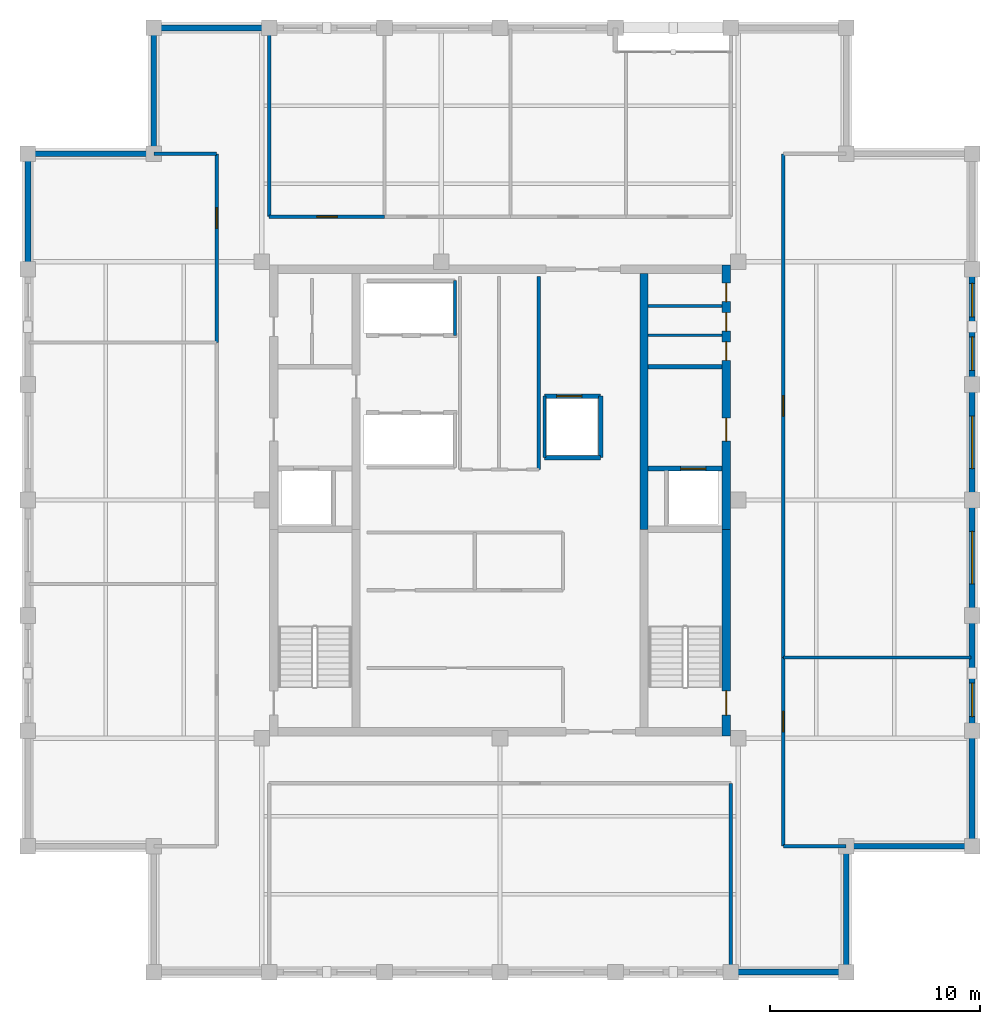
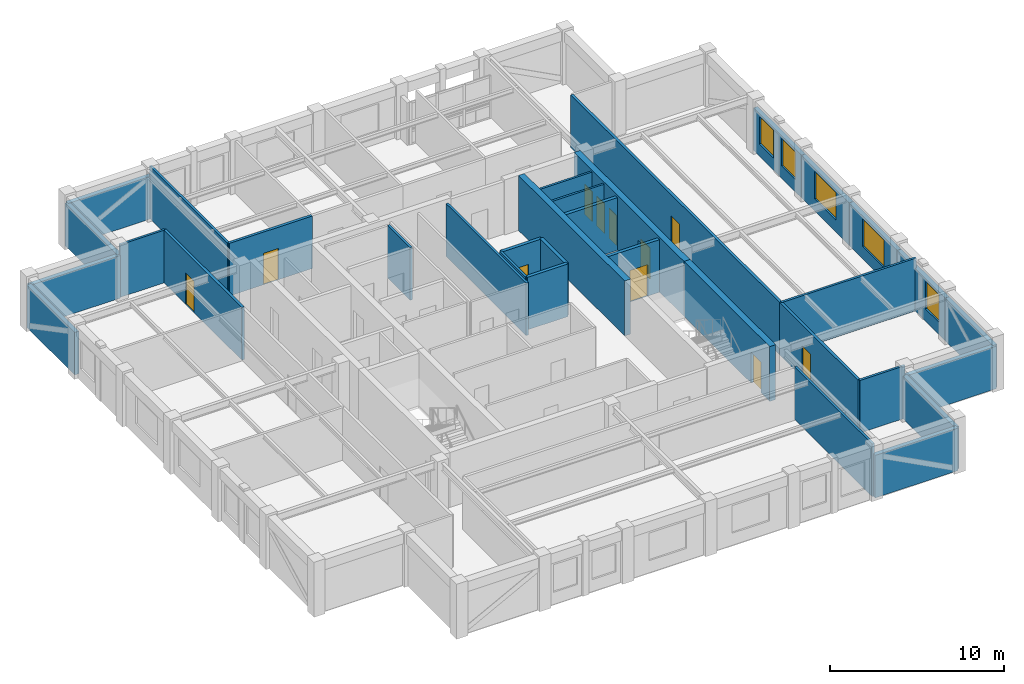
# One storey, part 5 of 7: 34 walls, 11 doors, 5 windows, 16 openings.
"""IFC4 building model written with IfcOpenShell, lengths in metres."""

from ifc_helpers import new_model, si_unit, direction, frame, frame_2d, origin, place, context, subcontext, project, spatial, rectangle, extrude, material, layer, layer_set, type_object, element, fill, save


model = new_model("IFC4")

# Units and contexts
model_context = context("Model", 3, precision=1e-05, world=origin(), true_north=direction((0.0, 1.0)))
body_context = subcontext(model_context, "Body", "Model", "MODEL_VIEW")
ifc_project = project(units=[si_unit("LENGTHUNIT", "METRE"), si_unit("AREAUNIT", "SQUARE_METRE"), si_unit("VOLUMEUNIT", "CUBIC_METRE"), si_unit("PLANEANGLEUNIT", "RADIAN"), si_unit("MASSUNIT", "GRAM", prefix="KILO")], contexts=[model_context])

# Site, building, storey
site_placement = place(None, origin())
site = spatial("IfcSite", under=ifc_project, at=site_placement, CompositionType="ELEMENT")
building_placement = place(site_placement, origin())
building = spatial("IfcBuilding", under=site, at=building_placement, Name="Nhamokura Convention Tower", CompositionType="ELEMENT")
storey_placement = place(building_placement, frame((0.0, 0.0, 281.39990234375)))
storey = spatial("IfcBuildingStorey", under=building, at=storey_placement, Name="L69", CompositionType="ELEMENT", Elevation=281.39990234375)

# Walls
ifc_material_1 = material(Name="Moisture-resistant tile-backer partition", Category="masonry")
ifc_layer_1 = layer(ifc_material_1, 0.139892578125)
ifc_layer_set_1 = layer_set([ifc_layer_1], Name="BathroomWetWall_140")
wall_type_1 = type_object("IfcWallType", Name="BathroomWetWall_140", PredefinedType="STANDARD", material=ifc_layer_set_1)
for number, where, z_axis, x_axis, name in (
    (1, (39.06005859375, 39.85009765625, 0.0), (0.0, 0.0, 1.0), (1.0, 0.0, 0.0), "L69 Wall INT-L69-CWNE1"),
    (2, (39.06005859375, 41.25, 0.0), (0.0, 0.0, 1.0), (1.0, 0.0, 0.0), "L69 Wall INT-L69-CWNE2"),
):
    element("IfcWall", number, at=place(storey_placement, frame(where, z_axis=z_axis, x_axis=x_axis)), inside=storey, type_object=wall_type_1, Name=name, PredefinedType="STANDARD", context=body_context, shape_type="SweptSolid", body=[
        extrude(rectangle(XDim=3.530029296875, YDim=0.139892578125, at=frame_2d((1.76513671875, 0.0))), origin(), (0.0, 0.0, 1.0), 3.68505859375),
    ])
ifc_material_2 = material(Name="Bronze-pigmented precast concrete C45/55", Category="concrete")
ifc_layer_2 = layer(ifc_material_2, 0.280029296875)
ifc_layer_set_2 = layer_set([ifc_layer_2], Name="BronzePrecastSpandrel_280")
wall_type_2 = type_object("IfcWallType", Name="BronzePrecastSpandrel_280", PredefinedType="USERDEFINED", material=ifc_layer_set_2)
for number, where, z_axis, x_axis, name in (
    (3, (48.5, 9.5, 0.0), (0.0, 0.0, 1.0), (-1.0, 0.0, 0.0), "L69 Braced-Bay Precast Wall SOUTH 5"),
    (4, (15.5, 54.5, 0.0), (0.0, 0.0, 1.0), (1.0, 0.0, 0.0), "L69 Braced-Bay Precast Wall NORTH 0"),
    (5, (9.5, 43.0, 0.0), (0.0, 0.0, 1.0), (0.0, 1.0, 0.0), "L69 Braced-Bay Precast Wall WEST 5"),
    (6, (54.5, 21.0, 0.0), (0.0, 0.0, 1.0), (0.0, -1.0, 0.0), "L69 Braced-Bay Precast Wall EAST 0"),
):
    element("IfcWall", number, at=place(storey_placement, frame(where, z_axis=z_axis, x_axis=x_axis)), inside=storey, type_object=wall_type_2, Name=name, ObjectType="SPANDREL_WALL", PredefinedType="USERDEFINED", context=body_context, shape_type="SweptSolid", body=[
        extrude(rectangle(XDim=5.5, YDim=0.280029296875, at=frame_2d((2.75, 0.0))), origin(), (0.0, 0.0, 1.0), 2.985107421875),
    ])

# Wall, opening, window
wall_1_placement = place(storey_placement, frame((54.5, 26.5, 0.0), z_axis=(0.0, 0.0, 1.0), x_axis=(0.0, -1.0, 0.0)))
wall_1 = element("IfcWall", 7, at=wall_1_placement, inside=storey, type_object=wall_type_2, Name="L69 Masonry-Frame Wall EAST 1", ObjectType="SPANDREL_WALL", PredefinedType="USERDEFINED", context=body_context, shape_type="SweptSolid", body=[
    extrude(rectangle(XDim=5.5, YDim=0.280029296875, at=frame_2d((2.75, 0.0))), origin(), (0.0, 0.0, 1.0), 2.985107421875),
])
opening_1_placement = place(wall_1_placement, frame((3.22509765625, 0.0, 0.85009765625)))
opening_1 = element("IfcOpeningElement", 8, at=opening_1_placement, cuts=wall_1, Name="Opening W-11", PredefinedType="OPENING", context=body_context, shape_type="SweptSolid", body=[
    extrude(rectangle(XDim=1.60009765625, YDim=1.93505859375, at=frame_2d((0.800048828125, 0.967529296875))), frame((0.0, 0.14990234375, 0.0), z_axis=(0.0, -1.0, 0.0), x_axis=(1.0, 0.0, 0.0)), (0.0, 0.0, 1.0), 0.300048828125),
])
ifc_material_3 = material(Name="Solar-control bronze low-E double glass", Category="glass")
window_type_1 = type_object("IfcWindowType", Name="NotchCornerWindow_1600", PartitioningType="SINGLE_PANEL", PredefinedType="WINDOW", material=ifc_material_3)
window_1_placement = place(opening_1_placement, origin())
window_1 = element("IfcWindow", 9, at=window_1_placement, inside=storey, type_object=window_type_1, Name="L69 Facade Window EAST 1-2", OverallHeight=1.93505859375, OverallWidth=1.60009765625, PartitioningType="SINGLE_PANEL", PredefinedType="WINDOW", context=body_context, shape_type="SweptSolid", body=[
    extrude(rectangle(XDim=1.60009765625, YDim=1.93505859375, at=frame_2d((0.800048828125, 0.967529296875))), frame((0.0, 0.030029296875, 0.0), z_axis=(0.0, -1.0, 0.0), x_axis=(1.0, 0.0, 0.0)), (0.0, 0.0, 1.0), 0.06005859375),
])
fill(opening_1, window_1)

wall_2_placement = place(storey_placement, frame((54.5, 32.0, 0.0), z_axis=(0.0, 0.0, 1.0), x_axis=(0.0, -1.0, 0.0)))
wall_2 = element("IfcWall", 10, at=wall_2_placement, inside=storey, type_object=wall_type_2, Name="L69 Masonry-Frame Wall EAST 2", ObjectType="SPANDREL_WALL", PredefinedType="USERDEFINED", context=body_context, shape_type="SweptSolid", body=[
    extrude(rectangle(XDim=5.5, YDim=0.280029296875, at=frame_2d((2.75, 0.0))), origin(), (0.0, 0.0, 1.0), 2.985107421875),
])
opening_2_placement = place(wall_2_placement, frame((1.5, 0.0, 0.85009765625)))
opening_2 = element("IfcOpeningElement", 11, at=opening_2_placement, cuts=wall_2, Name="Opening W-09", PredefinedType="OPENING", context=body_context, shape_type="SweptSolid", body=[
    extrude(rectangle(XDim=2.5, YDim=1.93505859375, at=frame_2d((1.25, 0.967529296875))), frame((0.0, 0.14990234375, 0.0), z_axis=(0.0, -1.0, 0.0), x_axis=(1.0, 0.0, 0.0)), (0.0, 0.0, 1.0), 0.300048828125),
])
ifc_material_4 = material(Name="Solar-control bronze low-E double glass", Category="glass")
window_type_2 = type_object("IfcWindowType", Name="SummitWindow_Z4_2500", PartitioningType="DOUBLE_PANEL_VERTICAL", PredefinedType="WINDOW", material=ifc_material_4)
window_2_placement = place(opening_2_placement, origin())
window_2 = element("IfcWindow", 12, at=window_2_placement, inside=storey, type_object=window_type_2, Name="L69 Facade Window EAST 2", OverallHeight=1.93505859375, OverallWidth=2.5, PartitioningType="SINGLE_PANEL", PredefinedType="WINDOW", context=body_context, shape_type="SweptSolid", body=[
    extrude(rectangle(XDim=2.5, YDim=1.93505859375, at=frame_2d((1.25, 0.967529296875))), frame((0.0, 0.030029296875, 0.0), z_axis=(0.0, -1.0, 0.0), x_axis=(1.0, 0.0, 0.0)), (0.0, 0.0, 1.0), 0.06005859375),
])
fill(opening_2, window_2)

wall_3_placement = place(storey_placement, frame((54.5, 37.5, 0.0), z_axis=(0.0, 0.0, 1.0), x_axis=(0.0, -1.0, 0.0)))
wall_3 = element("IfcWall", 13, at=wall_3_placement, inside=storey, type_object=wall_type_2, Name="L69 Masonry-Frame Wall EAST 3", ObjectType="SPANDREL_WALL", PredefinedType="USERDEFINED", context=body_context, shape_type="SweptSolid", body=[
    extrude(rectangle(XDim=5.5, YDim=0.280029296875, at=frame_2d((2.75, 0.0))), origin(), (0.0, 0.0, 1.0), 2.985107421875),
])
opening_3_placement = place(wall_3_placement, frame((1.5, 0.0, 0.85009765625)))
opening_3 = element("IfcOpeningElement", 14, at=opening_3_placement, cuts=wall_3, Name="Opening W-09", PredefinedType="OPENING", context=body_context, shape_type="SweptSolid", body=[
    extrude(rectangle(XDim=2.5, YDim=1.93505859375, at=frame_2d((1.25, 0.967529296875))), frame((0.0, 0.14990234375, 0.0), z_axis=(0.0, -1.0, 0.0), x_axis=(1.0, 0.0, 0.0)), (0.0, 0.0, 1.0), 0.300048828125),
])
window_3_placement = place(opening_3_placement, origin())
window_3 = element("IfcWindow", 15, at=window_3_placement, inside=storey, type_object=window_type_2, Name="L69 Facade Window EAST 3", OverallHeight=1.93505859375, OverallWidth=2.5, PartitioningType="SINGLE_PANEL", PredefinedType="WINDOW", context=body_context, shape_type="SweptSolid", body=[
    extrude(rectangle(XDim=2.5, YDim=1.93505859375, at=frame_2d((1.25, 0.967529296875))), frame((0.0, 0.030029296875, 0.0), z_axis=(0.0, -1.0, 0.0), x_axis=(1.0, 0.0, 0.0)), (0.0, 0.0, 1.0), 0.06005859375),
])
fill(opening_3, window_3)

# Wall, openings, windows
wall_4_placement = place(storey_placement, frame((54.5, 43.0, 0.0), z_axis=(0.0, 0.0, 1.0), x_axis=(0.0, -1.0, 0.0)))
wall_4 = element("IfcWall", 16, at=wall_4_placement, inside=storey, type_object=wall_type_2, Name="L69 Masonry-Frame Wall EAST 4", ObjectType="SPANDREL_WALL", PredefinedType="USERDEFINED", context=body_context, shape_type="SweptSolid", body=[
    extrude(rectangle(XDim=5.5, YDim=0.280029296875, at=frame_2d((2.75, 0.0))), origin(), (0.0, 0.0, 1.0), 2.985107421875),
])
opening_4_placement = place(wall_4_placement, frame((0.675048828125, 0.0, 0.85009765625)))
opening_4 = element("IfcOpeningElement", 17, at=opening_4_placement, cuts=wall_4, Name="Opening W-11", PredefinedType="OPENING", context=body_context, shape_type="SweptSolid", body=[
    extrude(rectangle(XDim=1.60009765625, YDim=1.93505859375, at=frame_2d((0.800048828125, 0.967529296875))), frame((0.0, 0.14990234375, 0.0), z_axis=(0.0, -1.0, 0.0), x_axis=(1.0, 0.0, 0.0)), (0.0, 0.0, 1.0), 0.300048828125),
])
opening_5_placement = place(wall_4_placement, frame((3.22509765625, 0.0, 0.85009765625)))
opening_5 = element("IfcOpeningElement", 18, at=opening_5_placement, cuts=wall_4, Name="Opening W-11", PredefinedType="OPENING", context=body_context, shape_type="SweptSolid", body=[
    extrude(rectangle(XDim=1.60009765625, YDim=1.93505859375, at=frame_2d((0.800048828125, 0.967529296875))), frame((0.0, 0.14990234375, 0.0), z_axis=(0.0, -1.0, 0.0), x_axis=(1.0, 0.0, 0.0)), (0.0, 0.0, 1.0), 0.300048828125),
])
window_4_placement = place(opening_4_placement, origin())
window_4 = element("IfcWindow", 19, at=window_4_placement, inside=storey, type_object=window_type_1, Name="L69 Facade Window EAST 4-1", OverallHeight=1.93505859375, OverallWidth=1.60009765625, PartitioningType="SINGLE_PANEL", PredefinedType="WINDOW", context=body_context, shape_type="SweptSolid", body=[
    extrude(rectangle(XDim=1.60009765625, YDim=1.93505859375, at=frame_2d((0.800048828125, 0.967529296875))), frame((0.0, 0.030029296875, 0.0), z_axis=(0.0, -1.0, 0.0), x_axis=(1.0, 0.0, 0.0)), (0.0, 0.0, 1.0), 0.06005859375),
])
fill(opening_4, window_4)
window_5_placement = place(opening_5_placement, origin())
window_5 = element("IfcWindow", 20, at=window_5_placement, inside=storey, type_object=window_type_1, Name="L69 Facade Window EAST 4-2", OverallHeight=1.93505859375, OverallWidth=1.60009765625, PartitioningType="SINGLE_PANEL", PredefinedType="WINDOW", context=body_context, shape_type="SweptSolid", body=[
    extrude(rectangle(XDim=1.60009765625, YDim=1.93505859375, at=frame_2d((0.800048828125, 0.967529296875))), frame((0.0, 0.030029296875, 0.0), z_axis=(0.0, -1.0, 0.0), x_axis=(1.0, 0.0, 0.0)), (0.0, 0.0, 1.0), 0.06005859375),
])
fill(opening_5, window_5)

# Walls
for number, where, z_axis, x_axis, name in (
    (21, (48.5, 15.5, 0.0), (0.0, 0.0, 1.0), (0.0, -1.0, 0.0), "L69 Notched Corner Wall SE1"),
    (22, (54.5, 15.5, 0.0), (0.0, 0.0, 1.0), (-1.0, 0.0, 0.0), "L69 Notched Corner Wall SE2"),
    (23, (15.5, 48.5, 0.0), (0.0, 0.0, 1.0), (0.0, 1.0, 0.0), "L69 Notched Corner Wall NW1"),
    (24, (9.5, 48.5, 0.0), (0.0, 0.0, 1.0), (1.0, 0.0, 0.0), "L69 Notched Corner Wall NW2"),
):
    element("IfcWall", number, at=place(storey_placement, frame(where, z_axis=z_axis, x_axis=x_axis)), inside=storey, type_object=wall_type_2, Name=name, ObjectType="SPANDREL_WALL", PredefinedType="USERDEFINED", context=body_context, shape_type="SweptSolid", body=[
        extrude(rectangle(XDim=6.0, YDim=0.280029296875, at=frame_2d((3.0, 0.0))), origin(), (0.0, 0.0, 1.0), 2.985107421875),
    ])

# Wall, opening, door
ifc_material_5 = material(Name="Concrete C50/60", Category="concrete")
ifc_layer_3 = layer(ifc_material_5, 0.39990234375)
ifc_layer_set_3 = layer_set([ifc_layer_3], Name="CoreShearWall_400")
wall_type_3 = type_object("IfcWallType", Name="CoreShearWall_400", PredefinedType="SHEAR", material=ifc_layer_set_3)
wall_5_placement = place(storey_placement, frame((42.7900390625, 20.75, 0.0), z_axis=(0.0, 0.0, 1.0), x_axis=(0.0, 1.0, 0.0)))
wall_5 = element("IfcWall", 25, at=wall_5_placement, inside=storey, type_object=wall_type_3, Name="L69 Core Shear Wall CW-ES", PredefinedType="SHEAR", context=body_context, shape_type="SweptSolid", body=[
    extrude(rectangle(XDim=9.85009765625, YDim=0.39990234375, at=frame_2d((4.925048828125, 0.0))), origin(), (0.0, 0.0, 1.0), 3.85009765625),
])
opening_6_placement = place(wall_5_placement, frame((1.0, 0.0, 0.0)))
opening_6 = element("IfcOpeningElement", 26, at=opening_6_placement, cuts=wall_5, Name="Opening D-04", PredefinedType="OPENING", context=body_context, shape_type="SweptSolid", body=[
    extrude(rectangle(XDim=1.14990234375, YDim=2.14990234375, at=frame_2d((0.574951171875, 1.074951171875))), frame((0.0, 0.2099609375, 0.0), z_axis=(0.0, -1.0, 0.0), x_axis=(1.0, 0.0, 0.0)), (0.0, 0.0, 1.0), 0.419921875),
])
ifc_material_6 = material(Name="Fire-rated steel door", Category="steel")
door_type_1 = type_object("IfcDoorType", Name="StairSmokeDoor_1150", OperationType="NOTDEFINED", PredefinedType="DOOR", material=ifc_material_6)
door_1_placement = place(opening_6_placement, origin())
door_1 = element("IfcDoor", 27, at=door_1_placement, inside=storey, type_object=door_type_1, Name="L69 Core Door INT-L69-D-ST02", OperationType="SINGLE_SWING_RIGHT", OverallHeight=2.14990234375, OverallWidth=1.14990234375, PredefinedType="DOOR", context=body_context, shape_type="SweptSolid", body=[
    extrude(rectangle(XDim=1.14990234375, YDim=2.14990234375, at=frame_2d((0.574951171875, 1.074951171875))), frame((0.0, 0.02490234375, 0.0), z_axis=(0.0, -1.0, 0.0), x_axis=(1.0, 0.0, 0.0)), (0.0, 0.0, 1.0), 0.050048828125),
])
fill(opening_6, door_1)

# Wall, openings, doors
wall_6_placement = place(storey_placement, frame((42.7900390625, 30.60009765625, 0.0), z_axis=(0.0, 0.0, 1.0), x_axis=(0.0, 1.0, 0.0)))
wall_6 = element("IfcWall", 28, at=wall_6_placement, inside=storey, type_object=wall_type_3, Name="L69 Core Shear Wall CW-EN", PredefinedType="SHEAR", context=body_context, shape_type="SweptSolid", body=[
    extrude(rectangle(XDim=12.599853515625, YDim=0.39990234375, at=frame_2d((6.2998046875, 0.0))), origin(), (0.0, 0.0, 1.0), 3.85009765625),
])
opening_7_placement = place(wall_6_placement, frame((4.199951171875, 0.0, 0.0)))
opening_7 = element("IfcOpeningElement", 29, at=opening_7_placement, cuts=wall_6, Name="Opening D-05", PredefinedType="OPENING", context=body_context, shape_type="SweptSolid", body=[
    extrude(rectangle(XDim=1.10009765625, YDim=2.14990234375, at=frame_2d((0.550048828125, 1.074951171875))), frame((0.0, 0.2099609375, 0.0), z_axis=(0.0, -1.0, 0.0), x_axis=(1.0, 0.0, 0.0)), (0.0, 0.0, 1.0), 0.419921875),
])
opening_8_placement = place(wall_6_placement, frame((8.050048828125, 0.0, 0.0)))
opening_8 = element("IfcOpeningElement", 30, at=opening_8_placement, cuts=wall_6, Name="Opening D-11", PredefinedType="OPENING", context=body_context, shape_type="SweptSolid", body=[
    extrude(rectangle(XDim=0.8798828125, YDim=2.10009765625, at=frame_2d((0.43994140625, 1.050048828125))), frame((0.0, 0.2099609375, 0.0), z_axis=(0.0, -1.0, 0.0), x_axis=(1.0, 0.0, 0.0)), (0.0, 0.0, 1.0), 0.419921875),
])
opening_9_placement = place(wall_6_placement, frame((9.449951171875, 0.0, 0.0)))
opening_9 = element("IfcOpeningElement", 31, at=opening_9_placement, cuts=wall_6, Name="Opening D-11", PredefinedType="OPENING", context=body_context, shape_type="SweptSolid", body=[
    extrude(rectangle(XDim=0.8798828125, YDim=2.10009765625, at=frame_2d((0.43994140625, 1.050048828125))), frame((0.0, 0.2099609375, 0.0), z_axis=(0.0, -1.0, 0.0), x_axis=(1.0, 0.0, 0.0)), (0.0, 0.0, 1.0), 0.419921875),
])
opening_10_placement = place(wall_6_placement, frame((10.85009765625, 0.0, 0.0)))
opening_10 = element("IfcOpeningElement", 32, at=opening_10_placement, cuts=wall_6, Name="Opening D-11", PredefinedType="OPENING", context=body_context, shape_type="SweptSolid", body=[
    extrude(rectangle(XDim=0.8798828125, YDim=2.10009765625, at=frame_2d((0.43994140625, 1.050048828125))), frame((0.0, 0.2099609375, 0.0), z_axis=(0.0, -1.0, 0.0), x_axis=(1.0, 0.0, 0.0)), (0.0, 0.0, 1.0), 0.419921875),
])
ifc_material_7 = material(Name="Solid oak hardwood", Category="wood")
door_type_2 = type_object("IfcDoorType", Name="BathroomDoor_880", OperationType="NOTDEFINED", PredefinedType="DOOR", material=ifc_material_7)
door_2_placement = place(opening_8_placement, origin())
door_2 = element("IfcDoor", 33, at=door_2_placement, inside=storey, type_object=door_type_2, Name="L69 Core Door INT-L69-D-MWC", OperationType="SINGLE_SWING_LEFT", OverallHeight=2.10009765625, OverallWidth=0.8798828125, PredefinedType="DOOR", context=body_context, shape_type="SweptSolid", body=[
    extrude(rectangle(XDim=0.8798828125, YDim=2.10009765625, at=frame_2d((0.43994140625, 1.050048828125))), frame((0.0, 0.02490234375, 0.0), z_axis=(0.0, -1.0, 0.0), x_axis=(1.0, 0.0, 0.0)), (0.0, 0.0, 1.0), 0.050048828125),
])
fill(opening_8, door_2)
door_3_placement = place(opening_9_placement, origin())
door_3 = element("IfcDoor", 34, at=door_3_placement, inside=storey, type_object=door_type_2, Name="L69 Core Door INT-L69-D-FWC", OperationType="SINGLE_SWING_RIGHT", OverallHeight=2.10009765625, OverallWidth=0.8798828125, PredefinedType="DOOR", context=body_context, shape_type="SweptSolid", body=[
    extrude(rectangle(XDim=0.8798828125, YDim=2.10009765625, at=frame_2d((0.43994140625, 1.050048828125))), frame((0.0, 0.02490234375, 0.0), z_axis=(0.0, -1.0, 0.0), x_axis=(1.0, 0.0, 0.0)), (0.0, 0.0, 1.0), 0.050048828125),
])
fill(opening_9, door_3)
door_4_placement = place(opening_10_placement, origin())
door_4 = element("IfcDoor", 35, at=door_4_placement, inside=storey, type_object=door_type_2, Name="L69 Core Door INT-L69-D-ARC", OperationType="SINGLE_SWING_LEFT", OverallHeight=2.10009765625, OverallWidth=0.8798828125, PredefinedType="DOOR", context=body_context, shape_type="SweptSolid", body=[
    extrude(rectangle(XDim=0.8798828125, YDim=2.10009765625, at=frame_2d((0.43994140625, 1.050048828125))), frame((0.0, 0.02490234375, 0.0), z_axis=(0.0, -1.0, 0.0), x_axis=(1.0, 0.0, 0.0)), (0.0, 0.0, 1.0), 0.050048828125),
])
fill(opening_10, door_4)
ifc_material_8 = material(Name="Fire-rated steel door", Category="steel")
door_type_3 = type_object("IfcDoorType", Name="FireLobbyDoor_1100", OperationType="NOTDEFINED", PredefinedType="DOOR", material=ifc_material_8)
door_5_placement = place(opening_7_placement, origin())
door_5 = element("IfcDoor", 36, at=door_5_placement, inside=storey, type_object=door_type_3, Name="L69 Core Door INT-L69-D-FFLE", OperationType="SINGLE_SWING_LEFT", OverallHeight=2.14990234375, OverallWidth=1.10009765625, PredefinedType="DOOR", context=body_context, shape_type="SweptSolid", body=[
    extrude(rectangle(XDim=1.10009765625, YDim=2.14990234375, at=frame_2d((0.550048828125, 1.074951171875))), frame((0.0, 0.02490234375, 0.0), z_axis=(0.0, -1.0, 0.0), x_axis=(1.0, 0.0, 0.0)), (0.0, 0.0, 1.0), 0.050048828125),
])
fill(opening_7, door_5)

# Wall
wall_7_placement = place(storey_placement, frame((38.860107421875, 30.60009765625, 0.0), z_axis=(0.0, 0.0, 1.0), x_axis=(0.0, 1.0, 0.0)))
element("IfcWall", 37, at=wall_7_placement, inside=storey, type_object=wall_type_3, Name="L69 Core Shear Wall CW-IEN", PredefinedType="SHEAR", context=body_context, shape_type="SweptSolid", body=[
    extrude(rectangle(XDim=12.199951171875, YDim=0.39990234375, at=frame_2d((6.10009765625, 0.0))), origin(), (0.0, 0.0, 1.0), 3.85009765625),
])

# Wall, opening, door
ifc_material_9 = material(Name="Fire-rated gypsum and masonry partition", Category="masonry")
ifc_layer_4 = layer(ifc_material_9, 0.179931640625)
ifc_layer_set_4 = layer_set([ifc_layer_4], Name="CorridorRatedWall_180")
wall_type_4 = type_object("IfcWallType", Name="CorridorRatedWall_180", PredefinedType="STANDARD", material=ifc_layer_set_4)
wall_8_placement = place(storey_placement, frame((21.0, 45.5, 0.0), z_axis=(0.0, 0.0, 1.0), x_axis=(1.0, 0.0, 0.0)))
wall_8 = element("IfcWall", 38, at=wall_8_placement, inside=storey, type_object=wall_type_4, Name="L69 Wall INT-L69-CW-N00", PredefinedType="STANDARD", context=body_context, shape_type="SweptSolid", body=[
    extrude(rectangle(XDim=5.5, YDim=0.179931640625, at=frame_2d((2.75, 0.0))), origin(), (0.0, 0.0, 1.0), 3.68505859375),
])
opening_11_placement = place(wall_8_placement, frame((2.27490234375, 0.0, 0.0)))
opening_11 = element("IfcOpeningElement", 39, at=opening_11_placement, cuts=wall_8, Name="Opening D-08", PredefinedType="OPENING", context=body_context, shape_type="SweptSolid", body=[
    extrude(rectangle(XDim=0.97998046875, YDim=2.199951171875, at=frame_2d((0.489990234375, 1.10009765625))), frame((0.0, 0.099853515625, 0.0), z_axis=(0.0, -1.0, 0.0), x_axis=(1.0, 0.0, 0.0)), (0.0, 0.0, 1.0), 0.199951171875),
])
ifc_material_10 = material(Name="Solid oak hardwood", Category="wood")
door_type_4 = type_object("IfcDoorType", Name="OfficeEntryDoor_980", OperationType="NOTDEFINED", PredefinedType="DOOR", material=ifc_material_10)
door_6_placement = place(opening_11_placement, origin())
door_6 = element("IfcDoor", 40, at=door_6_placement, inside=storey, type_object=door_type_4, Name="L69 Private Office N01 Door", OperationType="SINGLE_SWING_LEFT", OverallHeight=2.199951171875, OverallWidth=0.97998046875, PredefinedType="DOOR", context=body_context, shape_type="SweptSolid", body=[
    extrude(rectangle(XDim=0.97998046875, YDim=2.199951171875, at=frame_2d((0.489990234375, 1.10009765625))), frame((0.0, 0.02490234375, 0.0), z_axis=(0.0, -1.0, 0.0), x_axis=(1.0, 0.0, 0.0)), (0.0, 0.0, 1.0), 0.050048828125),
])
fill(opening_11, door_6)

wall_9_placement = place(storey_placement, frame((18.5, 39.5, 0.0), z_axis=(0.0, 0.0, 1.0), x_axis=(0.0, 1.0, 0.0)))
wall_9 = element("IfcWall", 41, at=wall_9_placement, inside=storey, type_object=wall_type_4, Name="L69 Wall INT-L69-CW-W02", PredefinedType="STANDARD", context=body_context, shape_type="SweptSolid", body=[
    extrude(rectangle(XDim=9.0, YDim=0.179931640625, at=frame_2d((4.5, 0.0))), origin(), (0.0, 0.0, 1.0), 3.68505859375),
])
opening_12_placement = place(wall_9_placement, frame((5.449951171875, 0.0, 0.0)))
opening_12 = element("IfcOpeningElement", 42, at=opening_12_placement, cuts=wall_9, Name="Opening D-08", PredefinedType="OPENING", context=body_context, shape_type="SweptSolid", body=[
    extrude(rectangle(XDim=0.97998046875, YDim=2.199951171875, at=frame_2d((0.489990234375, 1.10009765625))), frame((0.0, 0.099853515625, 0.0), z_axis=(0.0, -1.0, 0.0), x_axis=(1.0, 0.0, 0.0)), (0.0, 0.0, 1.0), 0.199951171875),
])
door_7_placement = place(opening_12_placement, origin())
door_7 = element("IfcDoor", 43, at=door_7_placement, inside=storey, type_object=door_type_4, Name="L69 VIP Lounge W03 Door", OperationType="SINGLE_SWING_LEFT", OverallHeight=2.199951171875, OverallWidth=0.97998046875, PredefinedType="DOOR", context=body_context, shape_type="SweptSolid", body=[
    extrude(rectangle(XDim=0.97998046875, YDim=2.199951171875, at=frame_2d((0.489990234375, 1.10009765625))), frame((0.0, 0.02490234375, 0.0), z_axis=(0.0, -1.0, 0.0), x_axis=(1.0, 0.0, 0.0)), (0.0, 0.0, 1.0), 0.050048828125),
])
fill(opening_12, door_7)

wall_10_placement = place(storey_placement, frame((45.5, 15.5, 0.0), z_axis=(0.0, 0.0, 1.0), x_axis=(0.0, 1.0, 0.0)))
wall_10 = element("IfcWall", 44, at=wall_10_placement, inside=storey, type_object=wall_type_4, Name="L69 Wall INT-L69-CW-E00", PredefinedType="STANDARD", context=body_context, shape_type="SweptSolid", body=[
    extrude(rectangle(XDim=9.0, YDim=0.179931640625, at=frame_2d((4.5, 0.0))), origin(), (0.0, 0.0, 1.0), 3.68505859375),
])
opening_13_placement = place(wall_10_placement, frame((5.449951171875, 0.0, 0.0)))
opening_13 = element("IfcOpeningElement", 45, at=opening_13_placement, cuts=wall_10, Name="Opening D-08", PredefinedType="OPENING", context=body_context, shape_type="SweptSolid", body=[
    extrude(rectangle(XDim=0.97998046875, YDim=2.199951171875, at=frame_2d((0.489990234375, 1.10009765625))), frame((0.0, 0.099853515625, 0.0), z_axis=(0.0, -1.0, 0.0), x_axis=(1.0, 0.0, 0.0)), (0.0, 0.0, 1.0), 0.199951171875),
])
door_8_placement = place(opening_13_placement, origin())
door_8 = element("IfcDoor", 46, at=door_8_placement, inside=storey, type_object=door_type_4, Name="L69 Press Room E01 Door", OperationType="SINGLE_SWING_LEFT", OverallHeight=2.199951171875, OverallWidth=0.97998046875, PredefinedType="DOOR", context=body_context, shape_type="SweptSolid", body=[
    extrude(rectangle(XDim=0.97998046875, YDim=2.199951171875, at=frame_2d((0.489990234375, 1.10009765625))), frame((0.0, 0.02490234375, 0.0), z_axis=(0.0, -1.0, 0.0), x_axis=(1.0, 0.0, 0.0)), (0.0, 0.0, 1.0), 0.050048828125),
])
fill(opening_13, door_8)

wall_11_placement = place(storey_placement, frame((45.5, 24.5, 0.0), z_axis=(0.0, 0.0, 1.0), x_axis=(0.0, 1.0, 0.0)))
wall_11 = element("IfcWall", 47, at=wall_11_placement, inside=storey, type_object=wall_type_4, Name="L69 Wall INT-L69-CW-E01", PredefinedType="STANDARD", context=body_context, shape_type="SweptSolid", body=[
    extrude(rectangle(XDim=24.0, YDim=0.179931640625, at=frame_2d((12.0, 0.0))), origin(), (0.0, 0.0, 1.0), 3.68505859375),
])
opening_14_placement = place(wall_11_placement, frame((11.5, 0.0, 0.0)))
opening_14 = element("IfcOpeningElement", 48, at=opening_14_placement, cuts=wall_11, Name="Opening D-08", PredefinedType="OPENING", context=body_context, shape_type="SweptSolid", body=[
    extrude(rectangle(XDim=0.97998046875, YDim=2.199951171875, at=frame_2d((0.489990234375, 1.10009765625))), frame((0.0, 0.099853515625, 0.0), z_axis=(0.0, -1.0, 0.0), x_axis=(1.0, 0.0, 0.0)), (0.0, 0.0, 1.0), 0.199951171875),
])
door_9_placement = place(opening_14_placement, origin())
door_9 = element("IfcDoor", 49, at=door_9_placement, inside=storey, type_object=door_type_4, Name="L69 Private Office E02 Door", OperationType="SINGLE_SWING_RIGHT", OverallHeight=2.199951171875, OverallWidth=0.97998046875, PredefinedType="DOOR", context=body_context, shape_type="SweptSolid", body=[
    extrude(rectangle(XDim=0.97998046875, YDim=2.199951171875, at=frame_2d((0.489990234375, 1.10009765625))), frame((0.0, 0.02490234375, 0.0), z_axis=(0.0, -1.0, 0.0), x_axis=(1.0, 0.0, 0.0)), (0.0, 0.0, 1.0), 0.050048828125),
])
fill(opening_14, door_9)

ifc_material_11 = material(Name="Autoclaved concrete blockwork", Category="masonry")
ifc_layer_5 = layer(ifc_material_11, 0.219970703125)
ifc_layer_set_5 = layer_set([ifc_layer_5], Name="FireLobbyWall_220")
wall_type_5 = type_object("IfcWallType", Name="FireLobbyWall_220", PredefinedType="STANDARD", material=ifc_layer_set_5)
wall_12_placement = place(storey_placement, frame((39.06005859375, 33.5, 0.0), z_axis=(0.0, 0.0, 1.0), x_axis=(1.0, 0.0, 0.0)))
wall_12 = element("IfcWall", 50, at=wall_12_placement, inside=storey, type_object=wall_type_5, Name="L69 Wall INT-L69-FFE-S", PredefinedType="STANDARD", context=body_context, shape_type="SweptSolid", body=[
    extrude(rectangle(XDim=3.530029296875, YDim=0.219970703125, at=frame_2d((1.76513671875, 0.0))), origin(), (0.0, 0.0, 1.0), 3.68505859375),
])
opening_15_placement = place(wall_12_placement, frame((1.550048828125, 0.0, 0.0)))
opening_15 = element("IfcOpeningElement", 51, at=opening_15_placement, cuts=wall_12, Name="Opening LD-02", PredefinedType="OPENING", context=body_context, shape_type="SweptSolid", body=[
    extrude(rectangle(XDim=1.199951171875, YDim=2.199951171875, at=frame_2d((0.60009765625, 1.10009765625))), frame((0.0, 0.119873046875, 0.0), z_axis=(0.0, -1.0, 0.0), x_axis=(1.0, 0.0, 0.0)), (0.0, 0.0, 1.0), 0.239990234375),
])
ifc_material_12 = material(Name="Anodised bronze stainless steel", Category="steel")
door_type_5 = type_object("IfcDoorType", Name="LiftLandingDoor_FireService", OperationType="DOUBLE_DOOR_SLIDING", PredefinedType="DOOR", material=ifc_material_12)
door_10_placement = place(opening_15_placement, origin())
door_10 = element("IfcDoor", 52, at=door_10_placement, inside=storey, type_object=door_type_5, Name="L69 Firefighting Lift LF-02 Door", OperationType="DOUBLE_DOOR_SLIDING", OverallHeight=2.199951171875, OverallWidth=1.199951171875, PredefinedType="DOOR", context=body_context, shape_type="SweptSolid", body=[
    extrude(rectangle(XDim=1.199951171875, YDim=2.199951171875, at=frame_2d((0.60009765625, 1.10009765625))), frame((0.0, 0.02490234375, 0.0), z_axis=(0.0, -1.0, 0.0), x_axis=(1.0, 0.0, 0.0)), (0.0, 0.0, 1.0), 0.050048828125),
])
fill(opening_15, door_10)

# Wall
wall_13_placement = place(storey_placement, frame((39.06005859375, 38.35009765625, 0.0), z_axis=(0.0, 0.0, 1.0), x_axis=(1.0, 0.0, 0.0)))
element("IfcWall", 53, at=wall_13_placement, inside=storey, type_object=wall_type_5, Name="L69 Wall INT-L69-FFE-N", PredefinedType="STANDARD", context=body_context, shape_type="SweptSolid", body=[
    extrude(rectangle(XDim=3.530029296875, YDim=0.219970703125, at=frame_2d((1.76513671875, 0.0))), origin(), (0.0, 0.0, 1.0), 3.68505859375),
])

# Wall, opening, door
wall_14_placement = place(storey_placement, frame((34.1201171875, 36.949951171875, 0.0), z_axis=(0.0, 0.0, 1.0), x_axis=(1.0, 0.0, 0.0)))
wall_14 = element("IfcWall", 54, at=wall_14_placement, inside=storey, type_object=wall_type_5, Name="L69 Wall INT-L69-LSN", PredefinedType="STANDARD", context=body_context, shape_type="SweptSolid", body=[
    extrude(rectangle(XDim=2.679931640625, YDim=0.219970703125, at=frame_2d((1.33984375, 0.0))), origin(), (0.0, 0.0, 1.0), 3.68505859375),
])
opening_16_placement = place(wall_14_placement, frame((0.580078125, 0.0, 0.0)))
opening_16 = element("IfcOpeningElement", 55, at=opening_16_placement, cuts=wall_14, Name="Opening LD-02", PredefinedType="OPENING", context=body_context, shape_type="SweptSolid", body=[
    extrude(rectangle(XDim=1.199951171875, YDim=2.199951171875, at=frame_2d((0.60009765625, 1.10009765625))), frame((0.0, 0.119873046875, 0.0), z_axis=(0.0, -1.0, 0.0), x_axis=(1.0, 0.0, 0.0)), (0.0, 0.0, 1.0), 0.239990234375),
])
door_11_placement = place(opening_16_placement, origin())
door_11 = element("IfcDoor", 56, at=door_11_placement, inside=storey, type_object=door_type_5, Name="L69 Service Lift LS-01 Door", OperationType="DOUBLE_DOOR_SLIDING", OverallHeight=2.199951171875, OverallWidth=1.199951171875, PredefinedType="DOOR", context=body_context, shape_type="SweptSolid", body=[
    extrude(rectangle(XDim=1.199951171875, YDim=2.199951171875, at=frame_2d((0.60009765625, 1.10009765625))), frame((0.0, 0.02490234375, 0.0), z_axis=(0.0, -1.0, 0.0), x_axis=(1.0, 0.0, 0.0)), (0.0, 0.0, 1.0), 0.050048828125),
])
fill(opening_16, door_11)

# Walls
wall_15_placement = place(storey_placement, frame((36.800048828125, 34.02001953125, 0.0), z_axis=(0.0, 0.0, 1.0), x_axis=(0.0, 1.0, 0.0)))
element("IfcWall", 57, at=wall_15_placement, inside=storey, type_object=wall_type_5, Name="L69 Wall INT-L69-LSE", PredefinedType="STANDARD", context=body_context, shape_type="SweptSolid", body=[
    extrude(rectangle(XDim=2.929931640625, YDim=0.219970703125, at=frame_2d((1.46484375, 0.0))), origin(), (0.0, 0.0, 1.0), 3.68505859375),
])
wall_16_placement = place(storey_placement, frame((34.1201171875, 34.02001953125, 0.0), z_axis=(0.0, 0.0, 1.0), x_axis=(1.0, 0.0, 0.0)))
element("IfcWall", 58, at=wall_16_placement, inside=storey, type_object=wall_type_5, Name="L69 Wall INT-L69-LSS", PredefinedType="STANDARD", context=body_context, shape_type="SweptSolid", body=[
    extrude(rectangle(XDim=2.679931640625, YDim=0.219970703125, at=frame_2d((1.33984375, 0.0))), origin(), (0.0, 0.0, 1.0), 3.68505859375),
])
ifc_material_13 = material(Name="Acoustic gypsum stud partition", Category="masonry")
ifc_layer_6 = layer(ifc_material_13, 0.14990234375)
ifc_layer_set_6 = layer_set([ifc_layer_6], Name="InteriorPartition_150")
wall_type_6 = type_object("IfcWallType", Name="InteriorPartition_150", PredefinedType="STANDARD", material=ifc_layer_set_6)
wall_17_placement = place(storey_placement, frame((29.85009765625, 39.85009765625, 0.0), z_axis=(0.0, 0.0, 1.0), x_axis=(0.0, 1.0, 0.0)))
element("IfcWall", 59, at=wall_17_placement, inside=storey, type_object=wall_type_6, Name="L69 Wall INT-L69-B3B-E", PredefinedType="STANDARD", context=body_context, shape_type="SweptSolid", body=[
    extrude(rectangle(XDim=2.599853515625, YDim=0.14990234375, at=frame_2d((1.2998046875, 0.0))), origin(), (0.0, 0.0, 1.0), 3.68505859375),
])
wall_18_placement = place(storey_placement, frame((33.85009765625, 33.449951171875, 0.0), z_axis=(0.0, 0.0, 1.0), x_axis=(0.0, 1.0, 0.0)))
element("IfcWall", 60, at=wall_18_placement, inside=storey, type_object=wall_type_6, Name="L69 Wall INT-L69-ST03E", PredefinedType="STANDARD", context=body_context, shape_type="SweptSolid", body=[
    extrude(rectangle(XDim=9.199951171875, YDim=0.14990234375, at=frame_2d((4.60009765625, 0.0))), origin(), (0.0, 0.0, 1.0), 3.68505859375),
])
wall_19_placement = place(storey_placement, frame((34.1201171875, 34.02001953125, 0.0), z_axis=(0.0, 0.0, 1.0), x_axis=(0.0, 1.0, 0.0)))
element("IfcWall", 61, at=wall_19_placement, inside=storey, type_object=wall_type_6, Name="L69 Wall INT-L69-LSW", PredefinedType="STANDARD", context=body_context, shape_type="SweptSolid", body=[
    extrude(rectangle(XDim=2.929931640625, YDim=0.14990234375, at=frame_2d((1.46484375, 0.0))), origin(), (0.0, 0.0, 1.0), 3.68505859375),
])
for number, where, z_axis, x_axis, name in (
    (62, (43.0, 9.56005859375, 0.0), (0.0, 0.0, 1.0), (0.0, 1.0, 0.0), "L69 Wall INT-L69-RWR-S"),
    (63, (21.0, 45.5, 0.0), (0.0, 0.0, 1.0), (0.0, 1.0, 0.0), "L69 Wall INT-L69-RWL-N"),
    (64, (45.5, 24.5, 0.0), (0.0, 0.0, 1.0), (1.0, 0.0, 0.0), "L69 Wall INT-L69-RW-E01"),
):
    element("IfcWall", number, at=place(storey_placement, frame(where, z_axis=z_axis, x_axis=x_axis)), inside=storey, type_object=wall_type_6, Name=name, PredefinedType="STANDARD", context=body_context, shape_type="SweptSolid", body=[
        extrude(rectangle(XDim=8.93994140625, YDim=0.14990234375, at=frame_2d((4.469970703125, 0.0))), origin(), (0.0, 0.0, 1.0), 3.68505859375),
    ])
for number, where, z_axis, x_axis, name in (
    (65, (15.5, 48.5, 0.0), (0.0, 0.0, 1.0), (1.0, 0.0, 0.0), "L69 Wall INT-L69-VSTP-WN"),
    (66, (45.5, 15.5, 0.0), (0.0, 0.0, 1.0), (1.0, 0.0, 0.0), "L69 Wall INT-L69-VSTP-ES"),
):
    element("IfcWall", number, at=place(storey_placement, frame(where, z_axis=z_axis, x_axis=x_axis)), inside=storey, type_object=wall_type_6, Name=name, PredefinedType="STANDARD", context=body_context, shape_type="SweptSolid", body=[
        extrude(rectangle(XDim=3.0, YDim=0.14990234375, at=frame_2d((1.5, 0.0))), origin(), (0.0, 0.0, 1.0), 3.68505859375),
    ])

save(model, "model.ifc")
